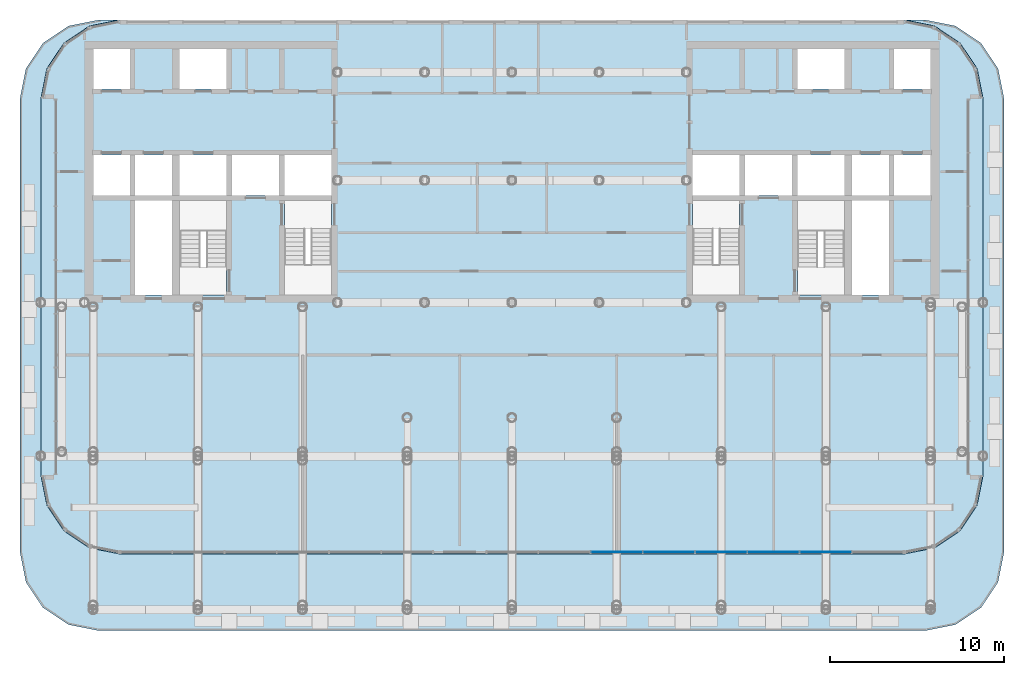
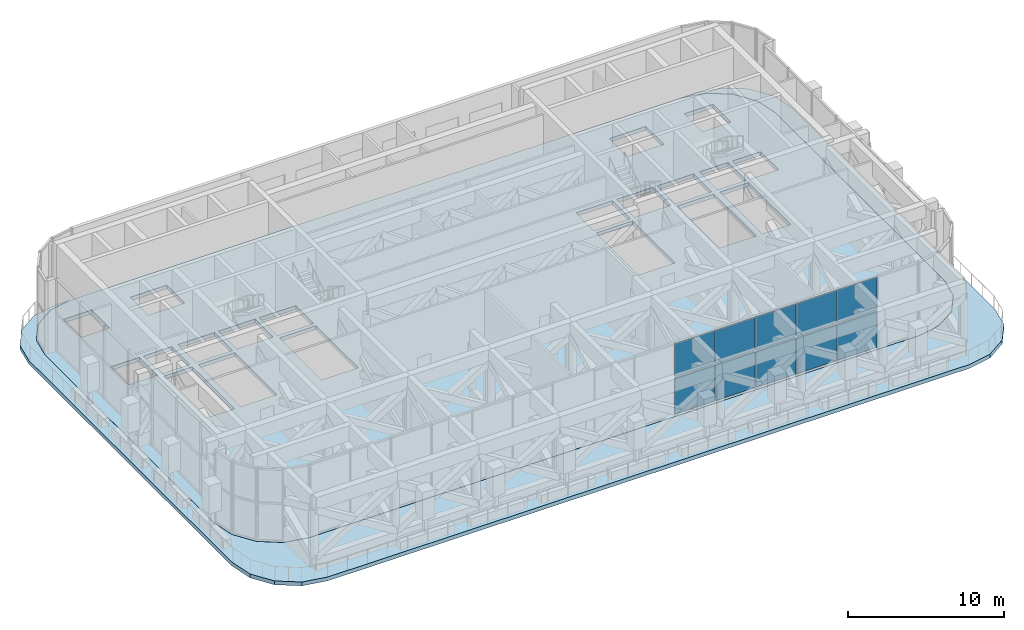
# One storey, part 9 of 20: 10 plates, 2 slabs, 1 element without a shape of its own.
"""IFC4 building model written with IfcOpenShell, lengths in metres."""

from ifc_helpers import new_model, si_unit, direction, frame, origin, origin_2d, place, context, subcontext, project, spatial, polyline, rectangle, outline, extrude, material, layer, layer_set, type_object, element, aggregate, save


model = new_model("IFC4")

# Units and contexts
model_context = context("Model", 3, precision=1e-05, world=origin(), true_north=direction((0.0, 1.0)))
body_context = subcontext(model_context, "Body", "Model", "MODEL_VIEW")
ifc_project = project(units=[si_unit("LENGTHUNIT", "METRE"), si_unit("AREAUNIT", "SQUARE_METRE"), si_unit("VOLUMEUNIT", "CUBIC_METRE"), si_unit("PLANEANGLEUNIT", "RADIAN"), si_unit("MASSUNIT", "GRAM", prefix="KILO")], contexts=[model_context])

# Site, building, storey
site_placement = place(None, origin())
site = spatial("IfcSite", under=ifc_project, at=site_placement, CompositionType="ELEMENT")
building_placement = place(site_placement, origin())
building = spatial("IfcBuilding", under=site, at=building_placement, Name="Torana Hotel and Residences", CompositionType="ELEMENT")
storey_placement = place(building_placement, frame((0.0, 0.0, 177.60009765625)))
storey = spatial("IfcBuildingStorey", under=building, at=storey_placement, Name="L46", CompositionType="ELEMENT", Elevation=177.60009765625)

# Curtain wall, plates
ifc_material_1 = material(Name="Dark anodised aluminium", Category="aluminium")
ifc_layer_1 = layer(ifc_material_1, 0.199951171875)
ifc_layer_set_1 = layer_set([ifc_layer_1], Name="CW2 SKY LOBBY UNITISED CURTAIN WALL")
curtain_wall_type = type_object("IfcCurtainWallType", Name="CW2 SKY LOBBY UNITISED CURTAIN WALL", PredefinedType="NOTDEFINED", material=ifc_layer_set_1)
curtain_wall_placement = place(storey_placement, origin())
curtain_wall = element("IfcCurtainWall", 1, at=curtain_wall_placement, inside=storey, type_object=curtain_wall_type, Name="Curtain wall CW2 L46 e0.14-2", PredefinedType="NOTDEFINED")
ifc_material_2 = material(Name="Glass dark tinted double glazed unit", Category="glass")
ifc_layer_2 = layer(ifc_material_2, 0.031982421875)
ifc_layer_set_2 = layer_set([ifc_layer_2], Name="CW2 DARK GLASS PANEL 32")
plate_type = type_object("IfcPlateType", Name="CW2 DARK GLASS PANEL 32", PredefinedType="CURTAIN_PANEL", material=ifc_layer_set_2)
plate_1_placement = place(storey_placement, frame((5.993408203125, -29.300048828125, 0.11962890625), z_axis=(0.0, 0.0, 1.0), x_axis=(1.0, 0.0, 0.0)))
plate_1 = element("IfcPlate", 2, at=plate_1_placement, type_object=plate_type, Name="CW2 panel 3.1", PredefinedType="CURTAIN_PANEL", context=body_context, shape_type="SweptSolid", body=[
    extrude(rectangle(XDim=2.9267578125, YDim=0.031982421875, at=origin_2d()), origin(), (0.0, 0.0, 1.0), 2.820068359375),
])
plate_2_placement = place(storey_placement, frame((5.993408203125, -29.300048828125, 3.059814453125), z_axis=(0.0, 0.0, 1.0), x_axis=(1.0, 0.0, 0.0)))
plate_2 = element("IfcPlate", 3, at=plate_2_placement, type_object=plate_type, Name="CW2 panel 3.2", PredefinedType="CURTAIN_PANEL", context=body_context, shape_type="SweptSolid", body=[
    extrude(rectangle(XDim=2.9267578125, YDim=0.031982421875, at=origin_2d()), origin(), (0.0, 0.0, 1.0), 2.5400390625),
])
plate_3_placement = place(storey_placement, frame((8.990234375, -29.300048828125, 0.11962890625), z_axis=(0.0, 0.0, 1.0), x_axis=(1.0, 0.0, 0.0)))
plate_3 = element("IfcPlate", 4, at=plate_3_placement, type_object=plate_type, Name="CW2 panel 4.1", PredefinedType="CURTAIN_PANEL", context=body_context, shape_type="SweptSolid", body=[
    extrude(rectangle(XDim=2.9267578125, YDim=0.031982421875, at=origin_2d()), origin(), (0.0, 0.0, 1.0), 2.820068359375),
])
plate_4_placement = place(storey_placement, frame((8.990234375, -29.300048828125, 3.059814453125), z_axis=(0.0, 0.0, 1.0), x_axis=(1.0, 0.0, 0.0)))
plate_4 = element("IfcPlate", 5, at=plate_4_placement, type_object=plate_type, Name="CW2 panel 4.2", PredefinedType="CURTAIN_PANEL", context=body_context, shape_type="SweptSolid", body=[
    extrude(rectangle(XDim=2.9267578125, YDim=0.031982421875, at=origin_2d()), origin(), (0.0, 0.0, 1.0), 2.5400390625),
])
plate_5_placement = place(storey_placement, frame((11.98681640625, -29.300048828125, 0.11962890625), z_axis=(0.0, 0.0, 1.0), x_axis=(1.0, 0.0, 0.0)))
plate_5 = element("IfcPlate", 6, at=plate_5_placement, type_object=plate_type, Name="CW2 panel 5.1", PredefinedType="CURTAIN_PANEL", context=body_context, shape_type="SweptSolid", body=[
    extrude(rectangle(XDim=2.9267578125, YDim=0.031982421875, at=origin_2d()), origin(), (0.0, 0.0, 1.0), 2.820068359375),
])
plate_6_placement = place(storey_placement, frame((11.98681640625, -29.300048828125, 3.059814453125), z_axis=(0.0, 0.0, 1.0), x_axis=(1.0, 0.0, 0.0)))
plate_6 = element("IfcPlate", 7, at=plate_6_placement, type_object=plate_type, Name="CW2 panel 5.2", PredefinedType="CURTAIN_PANEL", context=body_context, shape_type="SweptSolid", body=[
    extrude(rectangle(XDim=2.9267578125, YDim=0.031982421875, at=origin_2d()), origin(), (0.0, 0.0, 1.0), 2.5400390625),
])
plate_7_placement = place(storey_placement, frame((14.983642578125, -29.300048828125, 0.11962890625), z_axis=(0.0, 0.0, 1.0), x_axis=(1.0, 0.0, 0.0)))
plate_7 = element("IfcPlate", 8, at=plate_7_placement, type_object=plate_type, Name="CW2 panel 6.1", PredefinedType="CURTAIN_PANEL", context=body_context, shape_type="SweptSolid", body=[
    extrude(rectangle(XDim=2.9267578125, YDim=0.031982421875, at=origin_2d()), origin(), (0.0, 0.0, 1.0), 2.820068359375),
])
plate_8_placement = place(storey_placement, frame((14.983642578125, -29.300048828125, 3.059814453125), z_axis=(0.0, 0.0, 1.0), x_axis=(1.0, 0.0, 0.0)))
plate_8 = element("IfcPlate", 9, at=plate_8_placement, type_object=plate_type, Name="CW2 panel 6.2", PredefinedType="CURTAIN_PANEL", context=body_context, shape_type="SweptSolid", body=[
    extrude(rectangle(XDim=2.9267578125, YDim=0.031982421875, at=origin_2d()), origin(), (0.0, 0.0, 1.0), 2.5400390625),
])
plate_9_placement = place(storey_placement, frame((17.980224609375, -29.300048828125, 0.11962890625), z_axis=(0.0, 0.0, 1.0), x_axis=(1.0, 0.0, 0.0)))
plate_9 = element("IfcPlate", 10, at=plate_9_placement, type_object=plate_type, Name="CW2 panel 7.1", PredefinedType="CURTAIN_PANEL", context=body_context, shape_type="SweptSolid", body=[
    extrude(rectangle(XDim=2.9267578125, YDim=0.031982421875, at=origin_2d()), origin(), (0.0, 0.0, 1.0), 2.820068359375),
])
plate_10_placement = place(storey_placement, frame((17.980224609375, -29.300048828125, 3.059814453125), z_axis=(0.0, 0.0, 1.0), x_axis=(1.0, 0.0, 0.0)))
plate_10 = element("IfcPlate", 11, at=plate_10_placement, type_object=plate_type, Name="CW2 panel 7.2", PredefinedType="CURTAIN_PANEL", context=body_context, shape_type="SweptSolid", body=[
    extrude(rectangle(XDim=2.9267578125, YDim=0.031982421875, at=origin_2d()), origin(), (0.0, 0.0, 1.0), 2.5400390625),
])
aggregate(curtain_wall, [plate_1, plate_2, plate_3, plate_4, plate_5, plate_6, plate_7, plate_8, plate_9, plate_10])

# Slabs
ifc_material_3 = material(Name="Concrete C40/50", Category="concrete")
ifc_layer_3 = layer(ifc_material_3, 0.300048828125)
ifc_layer_set_3 = layer_set([ifc_layer_3], Name="FLOOR SLAB PT 300")
slab_type_1 = type_object("IfcSlabType", Name="FLOOR SLAB PT 300", PredefinedType="FLOOR", material=ifc_layer_set_3)
slab_1_placement = place(storey_placement, frame((0.0, 0.0, -0.300048828125)))
element("IfcSlab", 12, at=slab_1_placement, inside=storey, type_object=slab_type_1, Name="Floor slab", PredefinedType="FLOOR", context=body_context, shape_type="SweptSolid", body=[
    extrude(outline(polyline([(27.0, -3.300048828125), (26.657470703125, -1.577880859375), (25.681884765625, -0.117919921875), (24.22216796875, 0.857421875), (22.5, 1.199951171875), (-22.5, 1.199951171875), (-24.22216796875, 0.857421875), (-25.681884765625, -0.117919921875), (-26.657470703125, -1.577880859375), (-27.0, -3.300048828125), (-27.0, -24.89990234375), (-26.657470703125, -26.6220703125), (-25.681884765625, -28.08203125), (-24.22216796875, -29.0576171875), (-22.5, -29.39990234375), (22.5, -29.39990234375), (24.22216796875, -29.0576171875), (25.681884765625, -28.08203125), (26.657470703125, -26.6220703125), (27.0, -24.89990234375), (27.0, -3.300048828125)]), holes=[polyline([(-13.050048828125, -14.550048828125), (-10.35009765625, -14.550048828125), (-10.35009765625, -9.14990234375), (-13.050048828125, -9.14990234375), (-13.050048828125, -14.550048828125)]), polyline([(-19.050048828125, -14.550048828125), (-16.35009765625, -14.550048828125), (-16.35009765625, -9.14990234375), (-19.050048828125, -9.14990234375), (-19.050048828125, -14.550048828125)]), polyline([(-19.050048828125, -2.75), (-16.35009765625, -2.75), (-16.35009765625, -0.449951171875), (-19.050048828125, -0.449951171875), (-19.050048828125, -2.75)]), polyline([(-21.60009765625, -8.85009765625), (-19.5, -8.85009765625), (-19.5, -6.550048828125), (-21.60009765625, -6.550048828125), (-21.60009765625, -8.85009765625)]), polyline([(-24.0, -2.75), (-21.89990234375, -2.75), (-21.89990234375, -0.449951171875), (-24.0, -0.449951171875), (-24.0, -2.75)]), polyline([(-24.0, -8.85009765625), (-21.89990234375, -8.85009765625), (-21.89990234375, -6.550048828125), (-24.0, -6.550048828125), (-24.0, -8.85009765625)]), polyline([(-13.050048828125, -8.85009765625), (-10.35009765625, -8.85009765625), (-10.35009765625, -6.550048828125), (-13.050048828125, -6.550048828125), (-13.050048828125, -8.85009765625)]), polyline([(-16.050048828125, -8.85009765625), (-13.35009765625, -8.85009765625), (-13.35009765625, -6.550048828125), (-16.050048828125, -6.550048828125), (-16.050048828125, -8.85009765625)]), polyline([(-19.050048828125, -8.85009765625), (-16.35009765625, -8.85009765625), (-16.35009765625, -6.550048828125), (-19.050048828125, -6.550048828125), (-19.050048828125, -8.85009765625)]), polyline([(-21.60009765625, -14.550048828125), (-19.5, -14.550048828125), (-19.5, -9.14990234375), (-21.60009765625, -9.14990234375), (-21.60009765625, -14.550048828125)]), polyline([(10.35009765625, -14.550048828125), (13.050048828125, -14.550048828125), (13.050048828125, -9.14990234375), (10.35009765625, -9.14990234375), (10.35009765625, -14.550048828125)]), polyline([(16.35009765625, -14.550048828125), (19.050048828125, -14.550048828125), (19.050048828125, -9.14990234375), (16.35009765625, -9.14990234375), (16.35009765625, -14.550048828125)]), polyline([(16.35009765625, -2.75), (19.050048828125, -2.75), (19.050048828125, -0.449951171875), (16.35009765625, -0.449951171875), (16.35009765625, -2.75)]), polyline([(19.5, -8.85009765625), (21.60009765625, -8.85009765625), (21.60009765625, -6.550048828125), (19.5, -6.550048828125), (19.5, -8.85009765625)]), polyline([(21.89990234375, -2.75), (24.0, -2.75), (24.0, -0.449951171875), (21.89990234375, -0.449951171875), (21.89990234375, -2.75)]), polyline([(21.89990234375, -8.85009765625), (24.0, -8.85009765625), (24.0, -6.550048828125), (21.89990234375, -6.550048828125), (21.89990234375, -8.85009765625)]), polyline([(10.35009765625, -8.85009765625), (13.050048828125, -8.85009765625), (13.050048828125, -6.550048828125), (10.35009765625, -6.550048828125), (10.35009765625, -8.85009765625)]), polyline([(13.35009765625, -8.85009765625), (16.050048828125, -8.85009765625), (16.050048828125, -6.550048828125), (13.35009765625, -6.550048828125), (13.35009765625, -8.85009765625)]), polyline([(16.35009765625, -8.85009765625), (19.050048828125, -8.85009765625), (19.050048828125, -6.550048828125), (16.35009765625, -6.550048828125), (16.35009765625, -8.85009765625)]), polyline([(19.5, -14.550048828125), (21.60009765625, -14.550048828125), (21.60009765625, -9.14990234375), (19.5, -9.14990234375), (19.5, -14.550048828125)])]), origin(), (0.0, 0.0, 1.0), 0.300048828125),
])
ifc_material_4 = material(Name="Concrete C40/50", Category="concrete")
ifc_layer_4 = layer(ifc_material_4, 0.300048828125)
ifc_layer_set_4 = layer_set([ifc_layer_4], Name="TR1 TERRACE SLAB 300")
slab_type_2 = type_object("IfcSlabType", Name="TR1 TERRACE SLAB 300", PredefinedType="USERDEFINED", material=ifc_layer_set_4)
slab_2_placement = place(storey_placement, frame((0.0, 0.0, -0.300048828125)))
element("IfcSlab", 13, at=slab_2_placement, inside=storey, type_object=slab_type_2, Name="Terrace L46 1", ObjectType="TERRACE", PredefinedType="USERDEFINED", context=body_context, shape_type="SweptSolid", body=[
    extrude(outline(polyline([(23.699951171875, 1.199951171875), (25.422119140625, 0.857421875), (26.882080078125, -0.117919921875), (27.857421875, -1.577880859375), (28.199951171875, -3.300048828125), (28.199951171875, -29.300048828125), (27.857421875, -31.022216796875), (26.882080078125, -32.48193359375), (25.422119140625, -33.45751953125), (23.699951171875, -33.800048828125), (-23.699951171875, -33.800048828125), (-25.422119140625, -33.45751953125), (-26.882080078125, -32.48193359375), (-27.857421875, -31.022216796875), (-28.199951171875, -29.300048828125), (-28.199951171875, -3.300048828125), (-27.857421875, -1.577880859375), (-26.882080078125, -0.117919921875), (-25.422119140625, 0.857421875), (-23.699951171875, 1.199951171875), (-22.505126953125, 1.199951171875), (-24.222412109375, 0.8583984375), (-24.222412109375, 0.8583984375), (-24.222412109375, 0.8583984375), (-24.22265625, 0.8583984375), (-24.22265625, 0.8583984375), (-25.6826171875, -0.1171875), (-25.6826171875, -0.1171875), (-25.6826171875, -0.1171875), (-25.682861328125, -0.117431640625), (-25.682861328125, -0.117431640625), (-26.658203125, -1.577392578125), (-26.658447265625, -1.577392578125), (-26.658447265625, -1.577392578125), (-26.658447265625, -1.57763671875), (-26.658447265625, -1.57763671875), (-27.0009765625, -3.2998046875), (-27.0009765625, -3.2998046875), (-27.0009765625, -3.300048828125), (-27.0009765625, -24.89990234375), (-27.0009765625, -24.900146484375), (-27.0009765625, -24.900146484375), (-26.658447265625, -26.622314453125), (-26.658447265625, -26.622314453125), (-26.658447265625, -26.62255859375), (-26.658447265625, -26.62255859375), (-26.658203125, -26.622802734375), (-25.682861328125, -28.08251953125), (-25.682861328125, -28.08251953125), (-25.6826171875, -28.082763671875), (-25.6826171875, -28.082763671875), (-25.6826171875, -28.082763671875), (-24.22265625, -29.058349609375), (-24.22265625, -29.058349609375), (-24.222412109375, -29.058349609375), (-24.222412109375, -29.05859375), (-24.222412109375, -29.05859375), (-22.500244140625, -29.40087890625), (-22.5, -29.40087890625), (-22.5, -29.40087890625), (22.5, -29.40087890625), (22.5, -29.40087890625), (22.500244140625, -29.40087890625), (24.222412109375, -29.05859375), (24.222412109375, -29.05859375), (24.222412109375, -29.058349609375), (24.22265625, -29.058349609375), (24.22265625, -29.058349609375), (25.6826171875, -28.082763671875), (25.6826171875, -28.082763671875), (25.6826171875, -28.082763671875), (25.682861328125, -28.08251953125), (25.682861328125, -28.08251953125), (26.658203125, -26.622802734375), (26.658447265625, -26.62255859375), (26.658447265625, -26.62255859375), (26.658447265625, -26.622314453125), (26.658447265625, -26.622314453125), (27.0009765625, -24.900146484375), (27.0009765625, -24.900146484375), (27.0009765625, -24.89990234375), (27.0009765625, -3.300048828125), (27.0009765625, -3.2998046875), (27.0009765625, -3.2998046875), (26.658447265625, -1.57763671875), (26.658447265625, -1.57763671875), (26.658447265625, -1.577392578125), (26.658447265625, -1.577392578125), (26.658203125, -1.577392578125), (25.682861328125, -0.117431640625), (25.682861328125, -0.117431640625), (25.6826171875, -0.1171875), (25.6826171875, -0.1171875), (25.6826171875, -0.1171875), (24.22265625, 0.8583984375), (24.22265625, 0.8583984375), (24.222412109375, 0.8583984375), (24.222412109375, 0.8583984375), (24.222412109375, 0.8583984375), (22.505126953125, 1.199951171875), (23.699951171875, 1.199951171875)])), origin(), (0.0, 0.0, 1.0), 0.300048828125),
])

save(model, "model.ifc")
